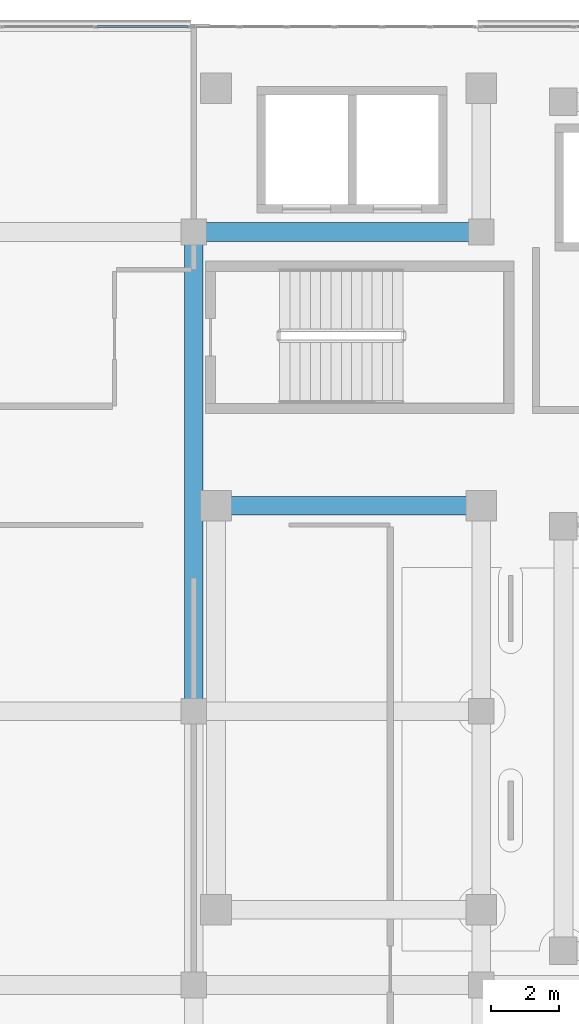
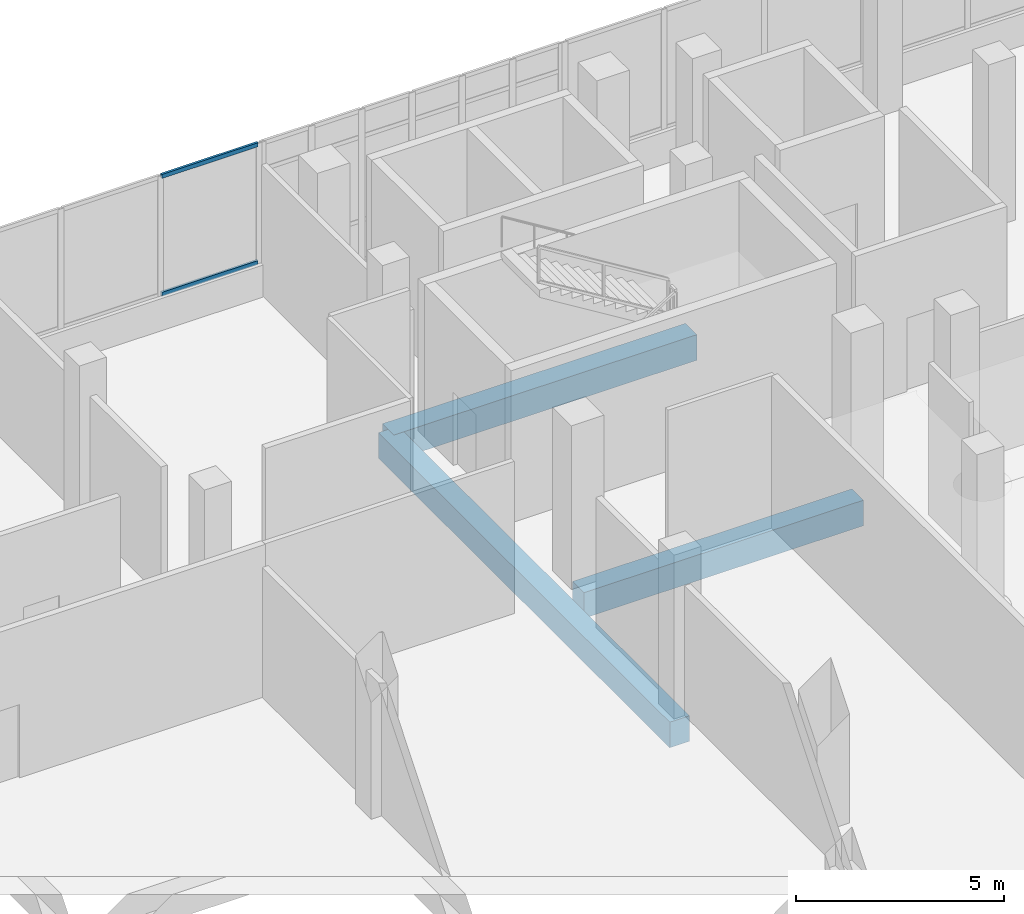
# One storey, part 70 of 155: 3 beams, 2 members, 1 element without a shape of its own.
"""IFC4 building model written with IfcOpenShell, lengths in metres."""

from ifc_helpers import new_model, si_unit, direction, frame, origin, origin_2d, place, context, subcontext, project, spatial, rectangle, hollow_rectangle, extrude, material, material_profile, profile_set, type_object, element, aggregate, save


model = new_model("IFC4")

# Units and contexts
model_context = context("Model", 3, precision=1e-05, world=origin(), true_north=direction((0.0, 1.0)))
body_context = subcontext(model_context, "Body", "Model", "MODEL_VIEW")
ifc_project = project(units=[si_unit("LENGTHUNIT", "METRE"), si_unit("AREAUNIT", "SQUARE_METRE"), si_unit("VOLUMEUNIT", "CUBIC_METRE"), si_unit("PLANEANGLEUNIT", "RADIAN"), si_unit("MASSUNIT", "GRAM", prefix="KILO")], contexts=[model_context])

# Site, building, storey
site_placement = place(None, origin())
site = spatial("IfcSite", under=ifc_project, at=site_placement, CompositionType="ELEMENT")
building_placement = place(site_placement, origin())
building = spatial("IfcBuilding", under=site, at=building_placement, Name="Selatvlak General Hospital", CompositionType="ELEMENT")
storey_placement = place(building_placement, frame((0.0, 0.0, 10.199951171875)))
storey = spatial("IfcBuildingStorey", under=building, at=storey_placement, Name="L02", CompositionType="ELEMENT", Elevation=10.199951171875)

# Beams
ifc_material_1 = material(Name="Concrete C40/50", Category="concrete")
ifc_material_profile_1 = material_profile(ifc_material_1, rectangle(XDim=0.550048828125, YDim=0.75, at=origin_2d()), Name="RC-BM 550x750")
ifc_profile_set_1 = profile_set([ifc_material_profile_1], Name="Concrete C40/50")
beam_type = type_object("IfcBeamType", Name="BM-G02", PredefinedType="BEAM", material=ifc_profile_set_1)
beam_1_placement = place(storey_placement, frame((48.64990234375, 106.0, -0.72998046875), z_axis=(1.0, 0.0, 0.0), x_axis=(0.0, 1.0, 0.0)))
element("IfcBeam", 1, at=beam_1_placement, inside=storey, type_object=beam_type, Name="Beam BMR-L02-0878", PredefinedType="BEAM", context=body_context, shape_type="SweptSolid", body=[
    extrude(rectangle(XDim=0.550048828125, YDim=0.75, at=origin_2d()), origin(), (0.0, 0.0, 1.0), 7.75),
])
beam_2_placement = place(storey_placement, frame((48.0, 114.0, -0.72998046875), z_axis=(1.0, 0.0, 0.0), x_axis=(0.0, 1.0, 0.0)))
element("IfcBeam", 2, at=beam_2_placement, inside=storey, type_object=beam_type, Name="Beam BMR-L02-0898", PredefinedType="BEAM", context=body_context, shape_type="SweptSolid", body=[
    extrude(rectangle(XDim=0.550048828125, YDim=0.75, at=origin_2d()), origin(), (0.0, 0.0, 1.0), 8.39990234375),
])
beam_3_placement = place(storey_placement, frame((48.0, 100.0, -0.72998046875), z_axis=(0.0, 1.0, 0.0), x_axis=(-1.0, 0.0, 0.0)))
element("IfcBeam", 3, at=beam_3_placement, inside=storey, type_object=beam_type, Name="Beam BMR-L02-0956", PredefinedType="BEAM", context=body_context, shape_type="SweptSolid", body=[
    extrude(rectangle(XDim=0.550048828125, YDim=0.75, at=origin_2d()), origin(), (0.0, 0.0, 1.0), 14.0),
])

# Curtain wall, members
ifc_material_2 = material(Name="Solar-control Low-E double glazing", Category="glass")
curtain_wall_type = type_object("IfcCurtainWallType", Name="CW-CW-01", PredefinedType="USERDEFINED", material=ifc_material_2)
curtain_wall_placement = place(storey_placement, origin())
curtain_wall = element("IfcCurtainWall", 4, at=curtain_wall_placement, inside=storey, type_object=curtain_wall_type, Name="Glazed facade curtain wall CW-L02-0246", ObjectType="UNITISED CURTAIN WALL", PredefinedType="USERDEFINED")
ifc_material_3 = material(Name="Dark anodised aluminium mullion", Category="aluminium")
ifc_material_profile_2 = material_profile(ifc_material_3, hollow_rectangle(XDim=0.06494140625, YDim=0.1201171875, WallThickness=0.00390625, at=origin_2d()), Name="AL-TRN 65x120x4")
ifc_profile_set_2 = profile_set([ifc_material_profile_2], Name="Dark anodised aluminium mullion")
member_type = type_object("IfcMemberType", Name="CWT-01", PredefinedType="USERDEFINED", material=ifc_profile_set_2)
member_1_placement = place(storey_placement, frame((45.1708984375, 119.9990234375, 0.97265625), z_axis=(1.0, 0.0, 0.0), x_axis=(0.0, 1.0, 0.0)))
member_1 = element("IfcMember", 5, at=member_1_placement, type_object=member_type, Name="CW-01 transom 3.1", ObjectType="TRANSOM", PredefinedType="USERDEFINED", context=body_context, shape_type="SweptSolid", body=[
    extrude(hollow_rectangle(XDim=0.06494140625, YDim=0.1201171875, WallThickness=0.00390625, at=origin_2d()), origin(), (0.0, 0.0, 1.0), 2.669189453125),
])
member_2_placement = place(storey_placement, frame((45.1708984375, 119.9990234375, 4.427490234375), z_axis=(1.0, 0.0, 0.0), x_axis=(0.0, 1.0, 0.0)))
member_2 = element("IfcMember", 6, at=member_2_placement, type_object=member_type, Name="CW-01 transom 3.2", ObjectType="TRANSOM", PredefinedType="USERDEFINED", context=body_context, shape_type="SweptSolid", body=[
    extrude(hollow_rectangle(XDim=0.06494140625, YDim=0.1201171875, WallThickness=0.00390625, at=origin_2d()), origin(), (0.0, 0.0, 1.0), 2.669189453125),
])
aggregate(curtain_wall, [member_1, member_2])

save(model, "model.ifc")
